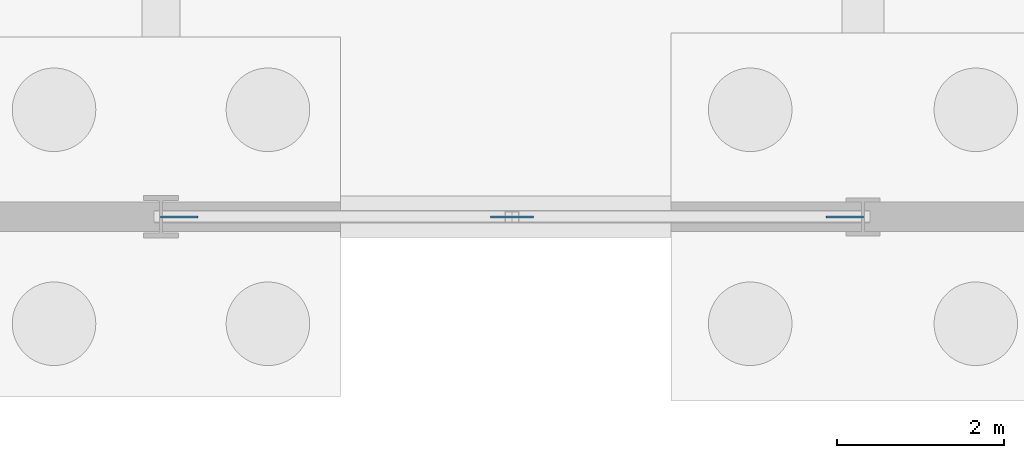
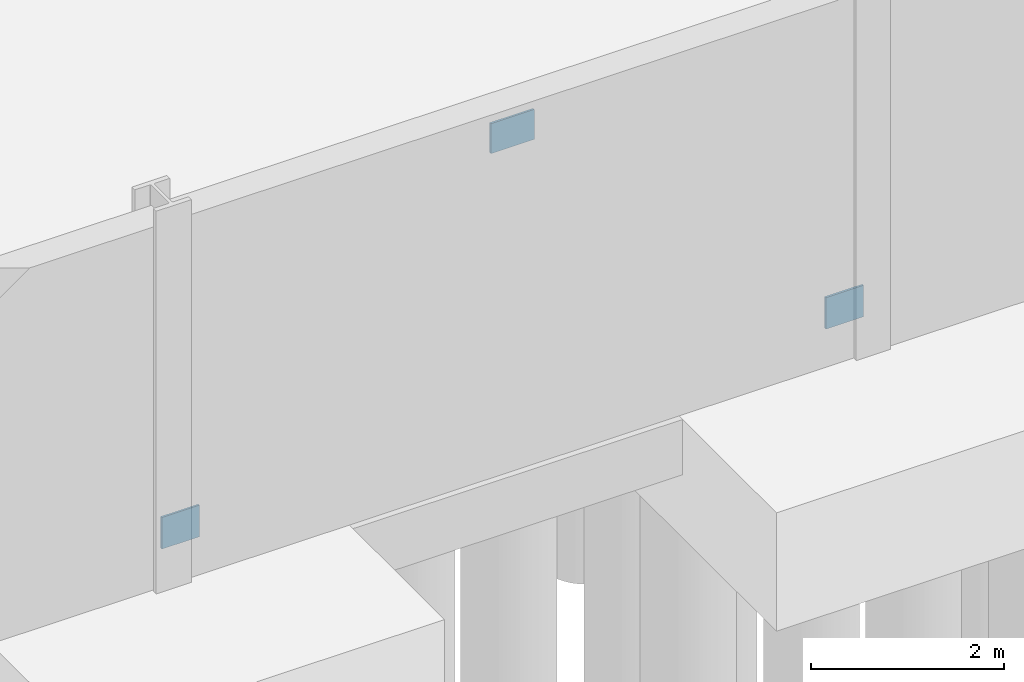
# One storey, part 44 of 51: 3 discrete accessories.
"""IFC4 building model written with IfcOpenShell, lengths in metres."""

import ifcopenshell
import ifcopenshell.guid

model = None  # the IFC model being written
_history = None  # IfcOwnerHistory: only IFC2X3 demands one
_inside = {}  # id of a spatial element -> (the spatial element, [elements in it])
_under = {}  # id of a project, library or spatial element -> (it, [spatial elements below it])
_declared = {}  # id of a project -> (the project, [libraries it declares])
_typed = {}  # id of a type object -> (the type object, [elements of that type])
_made_of = {}  # id of a material, layer set ... -> (it, [elements and type objects made of it])


def new_model(schema):
    """Start an empty IFC model of exactly this schema.

    Asked for "IFC4X3", IfcOpenShell would pick the latest addendum, in which some entities
    have other attributes; the version numbers below select the first issue.
    IFC2X3 requires an IfcOwnerHistory on every rooted entity: one is made here for all.
    """
    global model, _history
    if schema == "IFC4X3":
        model = ifcopenshell.file(schema_version=(4, 3, 0, 0))
    else:
        model = ifcopenshell.file(schema=schema)
    _inside.clear()
    _under.clear()
    _declared.clear()
    _typed.clear()
    _made_of.clear()
    _history = None
    if model.schema == "IFC2X3":
        org = make("IfcOrganization", Name="unknown")
        user = make(
            "IfcPersonAndOrganization",
            ThePerson=make("IfcPerson", FamilyName="unknown"),
            TheOrganization=org,
        )
        app = make(
            "IfcApplication",
            ApplicationDeveloper=org,
            Version="unknown",
            ApplicationFullName="unknown",
            ApplicationIdentifier="unknown",
        )
        _history = make(
            "IfcOwnerHistory",
            OwningUser=user,
            OwningApplication=app,
            ChangeAction="ADDED",
            CreationDate=0,
        )
    return model


def make(cls, **values):
    """One entity of the class cls with the attributes given. An attribute that is None is left unset."""
    return model.create_entity(
        cls, **{name: value for name, value in values.items() if value is not None}
    )


def rooted(cls, **values):
    """An entity with a GlobalId (a new one), such as an element, a storey or a relation."""
    return make(cls, GlobalId=ifcopenshell.guid.new(), OwnerHistory=_history, **values)


def si_unit(unit_type, name, prefix=None):
    """IfcSIUnit, for example si_unit("LENGTHUNIT", "METRE", prefix="MILLI")."""
    return make("IfcSIUnit", UnitType=unit_type, Prefix=prefix, Name=name)


def assignment(units):
    """IfcUnitAssignment: the units of a project."""
    return None if units is None else make("IfcUnitAssignment", Units=units)


def point(xyz):
    """IfcCartesianPoint."""
    return None if xyz is None else make("IfcCartesianPoint", Coordinates=xyz)


def direction(xyz):
    """IfcDirection."""
    return None if xyz is None else make("IfcDirection", DirectionRatios=xyz)


def frame(location, z_axis=None, x_axis=None):
    """IfcAxis2Placement3D, a coordinate frame: its origin and axes. An axis left out is left unset."""
    return make(
        "IfcAxis2Placement3D",
        Location=point(location),
        Axis=direction(z_axis),
        RefDirection=direction(x_axis),
    )


def frame_2d(location, x_axis=None):
    """IfcAxis2Placement2D, a coordinate frame in the plane: its origin and x axis."""
    return make(
        "IfcAxis2Placement2D", Location=point(location), RefDirection=direction(x_axis)
    )


def origin():
    """The frame at (0, 0, 0) with its axes left unset."""
    return frame((0.0, 0.0, 0.0))


def origin_2d():
    """The frame at (0, 0) in the plane with its x axis left unset."""
    return frame_2d((0.0, 0.0))


def place(relative_to, where):
    """IfcLocalPlacement: puts the frame where relative to a parent placement (None: the world)."""
    return make(
        "IfcLocalPlacement", PlacementRelTo=relative_to, RelativePlacement=where
    )


def context(
    kind, dimensions, precision=None, world=None, true_north=None, identifier=None
):
    """IfcGeometricRepresentationContext, for example the 3D "Model" context."""
    return make(
        "IfcGeometricRepresentationContext",
        ContextIdentifier=identifier,
        ContextType=kind,
        CoordinateSpaceDimension=dimensions,
        Precision=precision,
        WorldCoordinateSystem=world,
        TrueNorth=true_north,
    )


def subcontext(parent, identifier, kind, view, scale=None):
    """IfcGeometricRepresentationSubContext, for example "Body" below "Model"."""
    return make(
        "IfcGeometricRepresentationSubContext",
        ContextIdentifier=identifier,
        ContextType=kind,
        ParentContext=parent,
        TargetScale=scale,
        TargetView=view,
    )


def project(units=None, contexts=None):
    """IfcProject with its units and contexts."""
    return rooted(
        "IfcProject",
        Name="project",
        RepresentationContexts=contexts,
        UnitsInContext=assignment(units),
    )


def spatial(cls, under=None, at=None, **own):
    """A site, building, storey or space (cls), placed at a placement, below another one or the project."""
    s = rooted(cls, ObjectPlacement=at, **own)
    if under is not None:
        _under.setdefault(under.id(), (under, []))[1].append(s)
    return s


def profile(cls, at=None, kind="AREA", **sizes):
    """A parametric profile (cls). Its sizes go by their IFC names, for example OverallWidth=200.0."""
    return make(cls, ProfileType=kind, Position=at, **sizes)


def rectangle(**sizes):
    """IfcRectangleProfileDef."""
    return profile("IfcRectangleProfileDef", **sizes)


def extrude(swept, where, along, depth):
    """IfcExtrudedAreaSolid: the profile swept, set in the frame where, extruded along a direction by depth."""
    return make(
        "IfcExtrudedAreaSolid",
        SweptArea=swept,
        Position=where,
        ExtrudedDirection=direction(along),
        Depth=depth,
    )


def shape(context_of_items, identifier, shape_type, items):
    """IfcShapeRepresentation: the items that make up one representation, for example the "Body"."""
    return make(
        "IfcShapeRepresentation",
        ContextOfItems=context_of_items,
        RepresentationIdentifier=identifier,
        RepresentationType=shape_type,
        Items=items,
    )


def material(Name=None, Category=None):
    """IfcMaterial."""
    return make("IfcMaterial", Name=Name, Category=Category)


def made_of(thing, what):
    """Note that an element or type object is made of a material, layer set ...; save() writes the relation."""
    if what is not None:
        _made_of.setdefault(what.id(), (what, []))[1].append(thing)
    return thing


def type_object(cls, material=None, **own):
    """A type object (cls), such as IfcWallType, which elements share."""
    return made_of(rooted(cls, **own), material)


def element(
    cls,
    number,
    at=None,
    inside=None,
    cuts=None,
    type_object=None,
    material=None,
    context=None,
    identifier="Body",
    shape_type=None,
    held_by="IfcProductDefinitionShape",
    body=None,
    shapes=None,
    **own,
):
    """One element of the class cls, such as IfcWall. Its Tag is "e" and its number.

    at: its placement. inside: the storey or other place that contains it. cuts: it is an
    opening in that element (IfcRelVoidsElement). A single representation is given by context,
    identifier, shape_type and body (its items); several are given by shapes. held_by: the class
    of the entity that holds the representations. save() writes the other relations.
    """
    e = rooted(cls, Tag="e%d" % number, ObjectPlacement=at, **own)
    if body is not None:
        shapes = [shape(context, identifier, shape_type, body)]
    if shapes is not None:
        e.Representation = make(held_by, Representations=shapes)
    if inside is not None:
        _inside.setdefault(inside.id(), (inside, []))[1].append(e)
    if cuts is not None:
        rooted(
            "IfcRelVoidsElement", RelatingBuildingElement=cuts, RelatedOpeningElement=e
        )
    if type_object is not None:
        _typed.setdefault(type_object.id(), (type_object, []))[1].append(e)
    return made_of(e, material)


def aggregate(whole, parts):
    """IfcRelAggregates: a whole, such as a stair, and the parts it consists of."""
    return rooted("IfcRelAggregates", RelatingObject=whole, RelatedObjects=parts)


def save(model, path):
    """Write the relations noted so far, then the file.

    IfcRelAggregates (storeys below a building ...), IfcRelContainedInSpatialStructure (elements
    in a storey), IfcRelDefinesByType, IfcRelAssociatesMaterial and IfcRelDeclares: one each for
    every whole, place, type object, material and project.
    """
    for whole, parts in _under.values():
        aggregate(whole, parts)
    for where, things in _inside.values():
        rooted(
            "IfcRelContainedInSpatialStructure",
            RelatedElements=things,
            RelatingStructure=where,
        )
    for kind, things in _typed.values():
        rooted("IfcRelDefinesByType", RelatedObjects=things, RelatingType=kind)
    for what, things in _made_of.values():
        rooted("IfcRelAssociatesMaterial", RelatedObjects=things, RelatingMaterial=what)
    for by, libraries in _declared.values():
        rooted("IfcRelDeclares", RelatingContext=by, RelatedDefinitions=libraries)
    model.write(path)


model = new_model("IFC4")

# Units and contexts
model_context = context("Model", 3, precision=1e-05, world=origin(), true_north=direction((0.0, 1.0)))
body_context = subcontext(model_context, "Body", "Model", "MODEL_VIEW")
ifc_project = project(units=[si_unit("LENGTHUNIT", "METRE"), si_unit("AREAUNIT", "SQUARE_METRE"), si_unit("VOLUMEUNIT", "CUBIC_METRE"), si_unit("PLANEANGLEUNIT", "RADIAN"), si_unit("MASSUNIT", "GRAM", prefix="KILO")], contexts=[model_context])

# Site, building, storey
site_placement = place(None, origin())
site = spatial("IfcSite", under=ifc_project, at=site_placement, CompositionType="ELEMENT")
building_placement = place(site_placement, origin())
building = spatial("IfcBuilding", under=site, at=building_placement, Name="Qalvenar Corner Mobility Hub", CompositionType="ELEMENT")
storey_placement = place(building_placement, frame((0.0, 0.0, -4.5)))
storey = spatial("IfcBuildingStorey", under=building, at=storey_placement, Name="B1", CompositionType="ELEMENT", Elevation=-4.5)

# Discrete accessories
ifc_material = material(Name="Steel S355", Category="steel")
discrete_accessory_type = type_object("IfcDiscreteAccessoryType", Name="ACC-GUSSET-PLT", PredefinedType="BRACKET", material=ifc_material)
discrete_accessory_placement = place(storey_placement, frame((88.199951171875, 67.199951171875, 3.630126953125), z_axis=(0.0, 0.0, 1.0), x_axis=(1.0, 0.0, 0.0)))
element("IfcDiscreteAccessory", 1, at=discrete_accessory_placement, inside=storey, type_object=discrete_accessory_type, Name="Chevron Apex Gusset Plate GP-A-031", PredefinedType="BRACKET", context=body_context, shape_type="SweptSolid", body=[
    extrude(rectangle(XDim=0.52001953125, YDim=0.02490234375, at=origin_2d()), origin(), (0.0, 0.0, 1.0), 0.3798828125),
])
for number, where, z_axis, x_axis, name in (
    (2, (84.219970703125, 67.199951171875, 0.0), (0.0, 0.0, 1.0), (1.0, 0.0, 0.0), "Brace Base Gusset Plate GP-B-032"),
    (3, (92.179931640625, 67.199951171875, 0.0), (0.0, 0.0, 1.0), (1.0, 0.0, 0.0), "Brace Base Gusset Plate GP-B-033"),
):
    element("IfcDiscreteAccessory", number, at=place(storey_placement, frame(where, z_axis=z_axis, x_axis=x_axis)), inside=storey, type_object=discrete_accessory_type, Name=name, PredefinedType="BRACKET", context=body_context, shape_type="SweptSolid", body=[
        extrude(rectangle(XDim=0.449951171875, YDim=0.02490234375, at=origin_2d()), origin(), (0.0, 0.0, 1.0), 0.39990234375),
    ])

save(model, "model.ifc")
